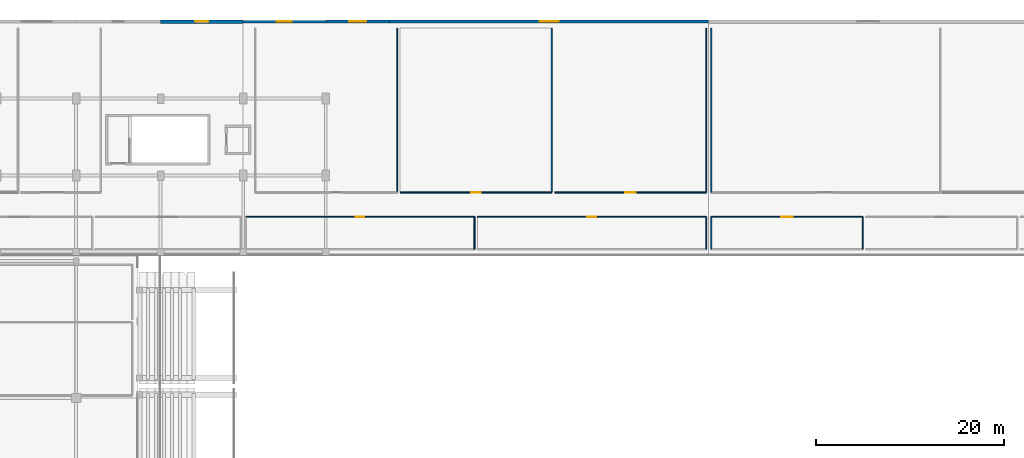
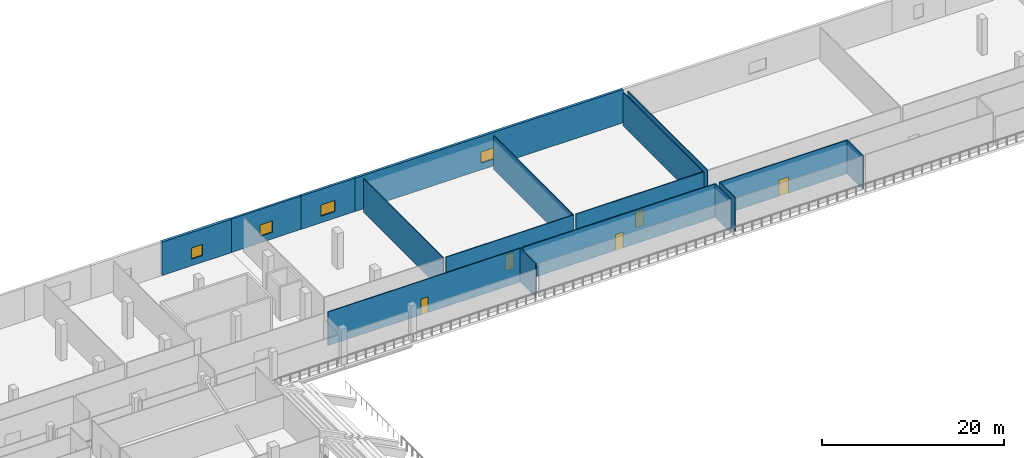
# One storey, part 42 of 74: 17 walls, 5 doors, 4 windows, 9 openings.
"""IFC4 building model written with IfcOpenShell, lengths in metres."""

from ifc_helpers import new_model, si_unit, direction, frame, frame_2d, origin, place, context, subcontext, project, spatial, rectangle, extrude, material, layer, layer_set, type_object, element, fill, save


model = new_model("IFC4")

# Units and contexts
model_context = context("Model", 3, precision=1e-05, world=origin(), true_north=direction((0.0, 1.0)))
body_context = subcontext(model_context, "Body", "Model", "MODEL_VIEW")
ifc_project = project(units=[si_unit("LENGTHUNIT", "METRE"), si_unit("AREAUNIT", "SQUARE_METRE"), si_unit("VOLUMEUNIT", "CUBIC_METRE"), si_unit("PLANEANGLEUNIT", "RADIAN"), si_unit("MASSUNIT", "GRAM", prefix="KILO")], contexts=[model_context])

# Site, building, storey
site_placement = place(None, origin())
site = spatial("IfcSite", under=ifc_project, at=site_placement, CompositionType="ELEMENT")
building_placement = place(site_placement, origin())
building = spatial("IfcBuilding", under=site, at=building_placement, Name="Koshinbarg Plaza Stadium", CompositionType="ELEMENT")
storey_placement = place(building_placement, frame((0.0, 0.0, 15.0)))
storey = spatial("IfcBuildingStorey", under=building, at=storey_placement, Name="L03", CompositionType="ELEMENT", Elevation=15.0)

# Wall, opening, window
ifc_material_1 = material(Name="Terracotta-ochre mineral plaster insulated wall", Category="masonry")
ifc_layer_1 = layer(ifc_material_1, 0.280029296875)
ifc_layer_set_1 = layer_set([ifc_layer_1], Name="Terracotta-ochre mineral plaster insulated wall")
wall_type_1 = type_object("IfcWallType", Name="WL-EXT-280", PredefinedType="SOLIDWALL", material=ifc_layer_set_1)
wall_1_placement = place(storey_placement, frame((72.39990234375, 152.0, 0.0), z_axis=(0.0, 0.0, 1.0), x_axis=(1.0, 0.0, 0.0)))
wall_1 = element("IfcWall", 1, at=wall_1_placement, inside=storey, type_object=wall_type_1, Name="L03 exterior envelope wall EWL-L03-0164", PredefinedType="SOLIDWALL", context=body_context, shape_type="SweptSolid", body=[
    extrude(rectangle(XDim=8.800048828125, YDim=0.280029296875, at=frame_2d((4.39990234375, 0.0))), origin(), (0.0, 0.0, 1.0), 4.47998046875),
])
opening_1_placement = place(wall_1_placement, frame((3.60009765625, 0.0, 0.89990234375)))
opening_1 = element("IfcOpeningElement", 2, at=opening_1_placement, cuts=wall_1, Name="Opening WN03", PredefinedType="OPENING", context=body_context, shape_type="SweptSolid", body=[
    extrude(rectangle(XDim=1.60009765625, YDim=1.5, at=frame_2d((0.800048828125, 0.75))), frame((0.0, 0.14990234375, 0.0), z_axis=(0.0, -1.0, 0.0), x_axis=(1.0, 0.0, 0.0)), (0.0, 0.0, 1.0), 0.300048828125),
])
ifc_material_2 = material(Name="Solar-control double glazing in thermally broken aluminium frame", Category="aluminium")
window_type_1 = type_object("IfcWindowType", Name="WN-FAC-03", PartitioningType="DOUBLE_PANEL_VERTICAL", PredefinedType="WINDOW", material=ifc_material_2)
window_1_placement = place(opening_1_placement, origin())
window_1 = element("IfcWindow", 3, at=window_1_placement, inside=storey, type_object=window_type_1, Name="L03 facade window 0097", OverallHeight=1.5, OverallWidth=1.60009765625, PartitioningType="SINGLE_PANEL", PredefinedType="WINDOW", context=body_context, shape_type="SweptSolid", body=[
    extrude(rectangle(XDim=1.60009765625, YDim=1.5, at=frame_2d((0.800048828125, 0.75))), frame((0.0, 0.030029296875, 0.0), z_axis=(0.0, -1.0, 0.0), x_axis=(1.0, 0.0, 0.0)), (0.0, 0.0, 1.0), 0.06005859375),
])
fill(opening_1, window_1)

ifc_material_3 = material(Name="Off-white mineral plaster insulated wall", Category="masonry")
ifc_layer_2 = layer(ifc_material_3, 0.300048828125)
ifc_layer_set_2 = layer_set([ifc_layer_2], Name="Off-white mineral plaster insulated wall")
wall_type_2 = type_object("IfcWallType", Name="WL-EXT-300", PredefinedType="SOLIDWALL", material=ifc_layer_set_2)
wall_2_placement = place(storey_placement, frame((81.199951171875, 152.0, 0.0), z_axis=(0.0, 0.0, 1.0), x_axis=(1.0, 0.0, 0.0)))
wall_2 = element("IfcWall", 4, at=wall_2_placement, inside=storey, type_object=wall_type_2, Name="L03 exterior envelope wall EWL-L03-0165", PredefinedType="SOLIDWALL", context=body_context, shape_type="SweptSolid", body=[
    extrude(rectangle(XDim=6.800048828125, YDim=0.300048828125, at=frame_2d((3.39990234375, 0.0))), origin(), (0.0, 0.0, 1.0), 4.47998046875),
])
opening_2_placement = place(wall_2_placement, frame((2.5, 0.0, 0.89990234375)))
opening_2 = element("IfcOpeningElement", 5, at=opening_2_placement, cuts=wall_2, Name="Opening WN04", PredefinedType="OPENING", context=body_context, shape_type="SweptSolid", body=[
    extrude(rectangle(XDim=1.800048828125, YDim=1.5, at=frame_2d((0.89990234375, 0.75))), frame((0.0, 0.159912109375, 0.0), z_axis=(0.0, -1.0, 0.0), x_axis=(1.0, 0.0, 0.0)), (0.0, 0.0, 1.0), 0.320068359375),
])
window_type_2 = type_object("IfcWindowType", Name="WN-FAC-04", PartitioningType="DOUBLE_PANEL_VERTICAL", PredefinedType="WINDOW", material=ifc_material_2)
window_2_placement = place(opening_2_placement, origin())
window_2 = element("IfcWindow", 6, at=window_2_placement, inside=storey, type_object=window_type_2, Name="L03 facade window 0098", OverallHeight=1.5, OverallWidth=1.800048828125, PartitioningType="SINGLE_PANEL", PredefinedType="WINDOW", context=body_context, shape_type="SweptSolid", body=[
    extrude(rectangle(XDim=1.800048828125, YDim=1.5, at=frame_2d((0.89990234375, 0.75))), frame((0.0, 0.030029296875, 0.0), z_axis=(0.0, -1.0, 0.0), x_axis=(1.0, 0.0, 0.0)), (0.0, 0.0, 1.0), 0.06005859375),
])
fill(opening_2, window_2)

ifc_material_4 = material(Name="Ultramarine-blue pigmented mineral plaster facade wall", Category="masonry")
ifc_layer_3 = layer(ifc_material_4, 0.320068359375)
ifc_layer_set_3 = layer_set([ifc_layer_3], Name="Ultramarine-blue pigmented mineral plaster facade wall")
wall_type_3 = type_object("IfcWallType", Name="WL-EXT-320", PredefinedType="SOLIDWALL", material=ifc_layer_set_3)
wall_3_placement = place(storey_placement, frame((88.0, 152.0, 0.0), z_axis=(0.0, 0.0, 1.0), x_axis=(1.0, 0.0, 0.0)))
wall_3 = element("IfcWall", 7, at=wall_3_placement, inside=storey, type_object=wall_type_3, Name="L03 exterior envelope wall EWL-L03-0166", PredefinedType="SOLIDWALL", context=body_context, shape_type="SweptSolid", body=[
    extrude(rectangle(XDim=34.0, YDim=0.320068359375, at=frame_2d((17.0, 0.0))), origin(), (0.0, 0.0, 1.0), 4.47998046875),
])
opening_3_placement = place(wall_3_placement, frame((16.0, 0.0, 0.89990234375)))
opening_3 = element("IfcOpeningElement", 8, at=opening_3_placement, cuts=wall_3, Name="Opening WN05", PredefinedType="OPENING", context=body_context, shape_type="SweptSolid", body=[
    extrude(rectangle(XDim=2.0, YDim=1.5, at=frame_2d((1.0, 0.75))), frame((0.0, 0.169921875, 0.0), z_axis=(0.0, -1.0, 0.0), x_axis=(1.0, 0.0, 0.0)), (0.0, 0.0, 1.0), 0.340087890625),
])
window_type_3 = type_object("IfcWindowType", Name="WN-FAC-05", PartitioningType="DOUBLE_PANEL_VERTICAL", PredefinedType="WINDOW", material=ifc_material_2)
window_3_placement = place(opening_3_placement, origin())
window_3 = element("IfcWindow", 9, at=window_3_placement, inside=storey, type_object=window_type_3, Name="L03 facade window 0099", OverallHeight=1.5, OverallWidth=2.0, PartitioningType="SINGLE_PANEL", PredefinedType="WINDOW", context=body_context, shape_type="SweptSolid", body=[
    extrude(rectangle(XDim=2.0, YDim=1.5, at=frame_2d((1.0, 0.75))), frame((0.0, 0.030029296875, 0.0), z_axis=(0.0, -1.0, 0.0), x_axis=(1.0, 0.0, 0.0)), (0.0, 0.0, 1.0), 0.06005859375),
])
fill(opening_3, window_3)

ifc_material_5 = material(Name="Acoustic insulated masonry stadium wall", Category="masonry")
ifc_layer_4 = layer(ifc_material_5, 0.35009765625)
ifc_layer_set_4 = layer_set([ifc_layer_4], Name="Acoustic insulated masonry stadium wall")
wall_type_4 = type_object("IfcWallType", Name="WL-EXT-350", PredefinedType="SOLIDWALL", material=ifc_layer_set_4)
wall_4_placement = place(storey_placement, frame((63.60009765625, 152.0, 0.0), z_axis=(0.0, 0.0, 1.0), x_axis=(1.0, 0.0, 0.0)))
wall_4 = element("IfcWall", 10, at=wall_4_placement, inside=storey, type_object=wall_type_4, Name="L03 exterior envelope wall EWL-L03-0163", PredefinedType="SOLIDWALL", context=body_context, shape_type="SweptSolid", body=[
    extrude(rectangle(XDim=8.7998046875, YDim=0.35009765625, at=frame_2d((4.39990234375, 0.0))), origin(), (0.0, 0.0, 1.0), 4.47998046875),
])
opening_4_placement = place(wall_4_placement, frame((3.699951171875, 0.0, 0.89990234375)))
opening_4 = element("IfcOpeningElement", 11, at=opening_4_placement, cuts=wall_4, Name="Opening WN02", PredefinedType="OPENING", context=body_context, shape_type="SweptSolid", body=[
    extrude(rectangle(XDim=1.39990234375, YDim=1.5, at=frame_2d((0.699951171875, 0.75))), frame((0.0, 0.18505859375, 0.0), z_axis=(0.0, -1.0, 0.0), x_axis=(1.0, 0.0, 0.0)), (0.0, 0.0, 1.0), 0.3701171875),
])
window_type_4 = type_object("IfcWindowType", Name="WN-FAC-02", PartitioningType="DOUBLE_PANEL_VERTICAL", PredefinedType="WINDOW", material=ifc_material_2)
window_4_placement = place(opening_4_placement, origin())
window_4 = element("IfcWindow", 12, at=window_4_placement, inside=storey, type_object=window_type_4, Name="L03 facade window 0096", OverallHeight=1.5, OverallWidth=1.39990234375, PartitioningType="SINGLE_PANEL", PredefinedType="WINDOW", context=body_context, shape_type="SweptSolid", body=[
    extrude(rectangle(XDim=1.39990234375, YDim=1.5, at=frame_2d((0.699951171875, 0.75))), frame((0.0, 0.030029296875, 0.0), z_axis=(0.0, -1.0, 0.0), x_axis=(1.0, 0.0, 0.0)), (0.0, 0.0, 1.0), 0.06005859375),
])
fill(opening_4, window_4)

# Wall
ifc_material_6 = material(Name="Gypsum board metal-stud acoustic partition")
ifc_layer_5 = layer(ifc_material_6, 0.1201171875)
ifc_layer_set_5 = layer_set([ifc_layer_5], Name="Gypsum board metal-stud acoustic partition")
wall_type_5 = type_object("IfcWallType", Name="WL-PART-120", PredefinedType="PARTITIONING", material=ifc_layer_set_5)
wall_5_placement = place(storey_placement, frame((97.050048828125, 127.7451171875, 0.0), z_axis=(0.0, 0.0, 1.0), x_axis=(0.0, 1.0, 0.0)))
element("IfcWall", 13, at=wall_5_placement, inside=storey, type_object=wall_type_5, Name="L03 interior partition L03-101-east IWL-L03-2014", PredefinedType="PARTITIONING", context=body_context, shape_type="SweptSolid", body=[
    extrude(rectangle(XDim=3.454833984375, YDim=0.1201171875, at=frame_2d((1.7275390625, 0.0))), origin(), (0.0, 0.0, 1.0), 4.5),
])

# Wall, opening, door
wall_6_placement = place(storey_placement, frame((97.050048828125, 131.199951171875, 0.0), z_axis=(0.0, 0.0, 1.0), x_axis=(-1.0, 0.0, 0.0)))
wall_6 = element("IfcWall", 14, at=wall_6_placement, inside=storey, type_object=wall_type_5, Name="L03 interior partition L03-101-north IWL-L03-2015", PredefinedType="PARTITIONING", context=body_context, shape_type="SweptSolid", body=[
    extrude(rectangle(XDim=24.380126953125, YDim=0.1201171875, at=frame_2d((12.18994140625, 0.0))), origin(), (0.0, 0.0, 1.0), 4.5),
])
opening_5_placement = place(wall_6_placement, frame((11.72998046875, 0.0, 0.0)))
opening_5 = element("IfcOpeningElement", 15, at=opening_5_placement, cuts=wall_6, Name="Opening D-0691", PredefinedType="OPENING", context=body_context, shape_type="SweptSolid", body=[
    extrude(rectangle(XDim=0.919921875, YDim=2.10009765625, at=frame_2d((0.4599609375, 1.050048828125))), frame((0.0, 0.070068359375, 0.0), z_axis=(0.0, -1.0, 0.0), x_axis=(1.0, 0.0, 0.0)), (0.0, 0.0, 1.0), 0.14013671875),
])
ifc_material_7 = material(Name="Solid-core oak veneer acoustic door")
door_type_1 = type_object("IfcDoorType", Name="DR-INT-0920x2100", OperationType="NOTDEFINED", PredefinedType="DOOR", material=ifc_material_7)
door_1_placement = place(opening_5_placement, origin())
door_1 = element("IfcDoor", 16, at=door_1_placement, inside=storey, type_object=door_type_1, Name="L03 North Upper Concourse door D-0691", OperationType="SINGLE_SWING_LEFT", OverallHeight=2.10009765625, OverallWidth=0.919921875, PredefinedType="DOOR", context=body_context, shape_type="SweptSolid", body=[
    extrude(rectangle(XDim=0.919921875, YDim=2.10009765625, at=frame_2d((0.4599609375, 1.050048828125))), frame((0.0, 0.02490234375, 0.0), z_axis=(0.0, -1.0, 0.0), x_axis=(1.0, 0.0, 0.0)), (0.0, 0.0, 1.0), 0.050048828125),
])
fill(opening_5, door_1)

# Wall
wall_7_placement = place(storey_placement, frame((121.72998046875, 127.7451171875, 0.0), z_axis=(0.0, 0.0, 1.0), x_axis=(0.0, 1.0, 0.0)))
element("IfcWall", 17, at=wall_7_placement, inside=storey, type_object=wall_type_5, Name="L03 interior partition L03-102-east IWL-L03-2018", PredefinedType="PARTITIONING", context=body_context, shape_type="SweptSolid", body=[
    extrude(rectangle(XDim=3.454833984375, YDim=0.1201171875, at=frame_2d((1.7275390625, 0.0))), origin(), (0.0, 0.0, 1.0), 4.5),
])

# Wall, opening, door
wall_8_placement = place(storey_placement, frame((121.72998046875, 131.199951171875, 0.0), z_axis=(0.0, 0.0, 1.0), x_axis=(-1.0, 0.0, 0.0)))
wall_8 = element("IfcWall", 18, at=wall_8_placement, inside=storey, type_object=wall_type_5, Name="L03 interior partition L03-102-north IWL-L03-2019", PredefinedType="PARTITIONING", context=body_context, shape_type="SweptSolid", body=[
    extrude(rectangle(XDim=24.3798828125, YDim=0.1201171875, at=frame_2d((12.18994140625, 0.0))), origin(), (0.0, 0.0, 1.0), 4.5),
])
opening_6_placement = place(wall_8_placement, frame((11.7099609375, 0.0, 0.0)))
opening_6 = element("IfcOpeningElement", 19, at=opening_6_placement, cuts=wall_8, Name="Opening D-0692", PredefinedType="OPENING", context=body_context, shape_type="SweptSolid", body=[
    extrude(rectangle(XDim=0.9599609375, YDim=2.10009765625, at=frame_2d((0.47998046875, 1.050048828125))), frame((0.0, 0.070068359375, 0.0), z_axis=(0.0, -1.0, 0.0), x_axis=(1.0, 0.0, 0.0)), (0.0, 0.0, 1.0), 0.14013671875),
])
door_type_2 = type_object("IfcDoorType", Name="DR-INT-0960x2100", OperationType="NOTDEFINED", PredefinedType="DOOR", material=ifc_material_7)
door_2_placement = place(opening_6_placement, origin())
door_2 = element("IfcDoor", 20, at=door_2_placement, inside=storey, type_object=door_type_2, Name="L03 Trophy Exhibition Hall door D-0692", OperationType="SINGLE_SWING_RIGHT", OverallHeight=2.10009765625, OverallWidth=0.9599609375, PredefinedType="DOOR", context=body_context, shape_type="SweptSolid", body=[
    extrude(rectangle(XDim=0.9599609375, YDim=2.10009765625, at=frame_2d((0.47998046875, 1.050048828125))), frame((0.0, 0.02490234375, 0.0), z_axis=(0.0, -1.0, 0.0), x_axis=(1.0, 0.0, 0.0)), (0.0, 0.0, 1.0), 0.050048828125),
])
fill(opening_6, door_2)

# Wall
wall_9_placement = place(storey_placement, frame((88.8232421875, 133.800048828125, 0.0), z_axis=(0.0, 0.0, 1.0), x_axis=(0.0, 1.0, 0.0)))
element("IfcWall", 21, at=wall_9_placement, inside=storey, type_object=wall_type_5, Name="L03 interior partition L03-103-east IWL-L03-2021", PredefinedType="PARTITIONING", context=body_context, shape_type="SweptSolid", body=[
    extrude(rectangle(XDim=17.5, YDim=0.1201171875, at=frame_2d((8.75, 0.0))), origin(), (0.0, 0.0, 1.0), 4.5),
])

# Wall, opening, door
wall_10_placement = place(storey_placement, frame((89.123291015625, 133.800048828125, 0.0), z_axis=(0.0, 0.0, 1.0), x_axis=(1.0, 0.0, 0.0)))
wall_10 = element("IfcWall", 22, at=wall_10_placement, inside=storey, type_object=wall_type_5, Name="L03 interior partition L03-104-south IWL-L03-2023", PredefinedType="PARTITIONING", context=body_context, shape_type="SweptSolid", body=[
    extrude(rectangle(XDim=16.1533203125, YDim=0.1201171875, at=frame_2d((8.07666015625, 0.0))), origin(), (0.0, 0.0, 1.0), 4.5),
])
opening_7_placement = place(wall_10_placement, frame((7.5517578125, 0.0, 0.0)))
opening_7 = element("IfcOpeningElement", 23, at=opening_7_placement, cuts=wall_10, Name="Opening D-0694", PredefinedType="OPENING", context=body_context, shape_type="SweptSolid", body=[
    extrude(rectangle(XDim=1.050048828125, YDim=2.14990234375, at=frame_2d((0.52490234375, 1.074951171875))), frame((0.0, 0.070068359375, 0.0), z_axis=(0.0, -1.0, 0.0), x_axis=(1.0, 0.0, 0.0)), (0.0, 0.0, 1.0), 0.14013671875),
])
ifc_material_8 = material(Name="Solid-core oak suite entrance door")
door_type_3 = type_object("IfcDoorType", Name="DR-INT-1050x2150", OperationType="NOTDEFINED", PredefinedType="DOOR", material=ifc_material_8)
door_3_placement = place(opening_7_placement, origin())
door_3 = element("IfcDoor", 24, at=door_3_placement, inside=storey, type_object=door_type_3, Name="L03 Olympic Archive Exhibition Room door D-0694", OperationType="SINGLE_SWING_RIGHT", OverallHeight=2.14990234375, OverallWidth=1.050048828125, PredefinedType="DOOR", context=body_context, shape_type="SweptSolid", body=[
    extrude(rectangle(XDim=1.050048828125, YDim=2.14990234375, at=frame_2d((0.52490234375, 1.074951171875))), frame((0.0, 0.02490234375, 0.0), z_axis=(0.0, -1.0, 0.0), x_axis=(1.0, 0.0, 0.0)), (0.0, 0.0, 1.0), 0.050048828125),
])
fill(opening_7, door_3)

# Wall
wall_11_placement = place(storey_placement, frame((105.276611328125, 133.800048828125, 0.0), z_axis=(0.0, 0.0, 1.0), x_axis=(0.0, 1.0, 0.0)))
element("IfcWall", 25, at=wall_11_placement, inside=storey, type_object=wall_type_5, Name="L03 interior partition L03-104-east IWL-L03-2024", PredefinedType="PARTITIONING", context=body_context, shape_type="SweptSolid", body=[
    extrude(rectangle(XDim=17.5, YDim=0.1201171875, at=frame_2d((8.75, 0.0))), origin(), (0.0, 0.0, 1.0), 4.5),
])

# Wall, opening, door
wall_12_placement = place(storey_placement, frame((105.57666015625, 133.800048828125, 0.0), z_axis=(0.0, 0.0, 1.0), x_axis=(1.0, 0.0, 0.0)))
wall_12 = element("IfcWall", 26, at=wall_12_placement, inside=storey, type_object=wall_type_5, Name="L03 interior partition L03-105-south IWL-L03-2025", PredefinedType="PARTITIONING", context=body_context, shape_type="SweptSolid", body=[
    extrude(rectangle(XDim=16.1533203125, YDim=0.1201171875, at=frame_2d((8.07666015625, 0.0))), origin(), (0.0, 0.0, 1.0), 4.5),
])
opening_8_placement = place(wall_12_placement, frame((7.5166015625, 0.0, 0.0)))
opening_8 = element("IfcOpeningElement", 27, at=opening_8_placement, cuts=wall_12, Name="Opening D-0695", PredefinedType="OPENING", context=body_context, shape_type="SweptSolid", body=[
    extrude(rectangle(XDim=1.1201171875, YDim=2.14990234375, at=frame_2d((0.56005859375, 1.074951171875))), frame((0.0, 0.070068359375, 0.0), z_axis=(0.0, -1.0, 0.0), x_axis=(1.0, 0.0, 0.0)), (0.0, 0.0, 1.0), 0.14013671875),
])
ifc_material_9 = material(Name="Acoustic timber broadcast studio door", Category="wood")
door_type_4 = type_object("IfcDoorType", Name="DR-INT-1120x2150", OperationType="NOTDEFINED", PredefinedType="DOOR", material=ifc_material_9)
door_4_placement = place(opening_8_placement, origin())
door_4 = element("IfcDoor", 28, at=door_4_placement, inside=storey, type_object=door_type_4, Name="L03 North Garden Pavilion Salon door D-0695", OperationType="SINGLE_SWING_LEFT", OverallHeight=2.14990234375, OverallWidth=1.1201171875, PredefinedType="DOOR", context=body_context, shape_type="SweptSolid", body=[
    extrude(rectangle(XDim=1.1201171875, YDim=2.14990234375, at=frame_2d((0.56005859375, 1.074951171875))), frame((0.0, 0.02490234375, 0.0), z_axis=(0.0, -1.0, 0.0), x_axis=(1.0, 0.0, 0.0)), (0.0, 0.0, 1.0), 0.050048828125),
])
fill(opening_8, door_4)

# Walls
wall_13_placement = place(storey_placement, frame((121.72998046875, 133.800048828125, 0.0), z_axis=(0.0, 0.0, 1.0), x_axis=(0.0, 1.0, 0.0)))
element("IfcWall", 29, at=wall_13_placement, inside=storey, type_object=wall_type_5, Name="L03 interior partition L03-105-east IWL-L03-2026", PredefinedType="PARTITIONING", context=body_context, shape_type="SweptSolid", body=[
    extrude(rectangle(XDim=17.5, YDim=0.1201171875, at=frame_2d((8.75, 0.0))), origin(), (0.0, 0.0, 1.0), 4.5),
])
wall_14_placement = place(storey_placement, frame((138.42333984375, 127.7451171875, 0.0), z_axis=(0.0, 0.0, 1.0), x_axis=(0.0, 1.0, 0.0)))
element("IfcWall", 30, at=wall_14_placement, inside=storey, type_object=wall_type_5, Name="L03 interior partition L03-106-east IWL-L03-2028", PredefinedType="PARTITIONING", context=body_context, shape_type="SweptSolid", body=[
    extrude(rectangle(XDim=3.454833984375, YDim=0.1201171875, at=frame_2d((1.7275390625, 0.0))), origin(), (0.0, 0.0, 1.0), 4.5),
])

# Wall, opening, door
wall_15_placement = place(storey_placement, frame((138.42333984375, 131.199951171875, 0.0), z_axis=(0.0, 0.0, 1.0), x_axis=(-1.0, 0.0, 0.0)))
wall_15 = element("IfcWall", 31, at=wall_15_placement, inside=storey, type_object=wall_type_5, Name="L03 interior partition L03-106-north IWL-L03-2029", PredefinedType="PARTITIONING", context=body_context, shape_type="SweptSolid", body=[
    extrude(rectangle(XDim=16.1533203125, YDim=0.1201171875, at=frame_2d((8.07666015625, 0.0))), origin(), (0.0, 0.0, 1.0), 4.5),
])
opening_9_placement = place(wall_15_placement, frame((7.476806640625, 0.0, 0.0)))
opening_9 = element("IfcOpeningElement", 32, at=opening_9_placement, cuts=wall_15, Name="Opening D-0696", PredefinedType="OPENING", context=body_context, shape_type="SweptSolid", body=[
    extrude(rectangle(XDim=1.199951171875, YDim=2.14990234375, at=frame_2d((0.60009765625, 1.074951171875))), frame((0.0, 0.070068359375, 0.0), z_axis=(0.0, -1.0, 0.0), x_axis=(1.0, 0.0, 0.0)), (0.0, 0.0, 1.0), 0.14013671875),
])
ifc_material_10 = material(Name="Solid-core hardwood leaf in painted steel frame", Category="steel")
door_type_5 = type_object("IfcDoorType", Name="DR-INT-1200x2150", OperationType="NOTDEFINED", PredefinedType="DOOR", material=ifc_material_10)
door_5_placement = place(opening_9_placement, origin())
door_5 = element("IfcDoor", 33, at=door_5_placement, inside=storey, type_object=door_type_5, Name="L03 Trophy Exhibition Hall door D-0696", OperationType="SINGLE_SWING_RIGHT", OverallHeight=2.14990234375, OverallWidth=1.199951171875, PredefinedType="DOOR", context=body_context, shape_type="SweptSolid", body=[
    extrude(rectangle(XDim=1.199951171875, YDim=2.14990234375, at=frame_2d((0.60009765625, 1.074951171875))), frame((0.0, 0.02490234375, 0.0), z_axis=(0.0, -1.0, 0.0), x_axis=(1.0, 0.0, 0.0)), (0.0, 0.0, 1.0), 0.050048828125),
])
fill(opening_9, door_5)

# Walls
wall_16_placement = place(storey_placement, frame((122.27001953125, 131.199951171875, 0.0), z_axis=(0.0, 0.0, 1.0), x_axis=(0.0, -1.0, 0.0)))
element("IfcWall", 34, at=wall_16_placement, inside=storey, type_object=wall_type_5, Name="L03 interior partition L03-106-west IWL-L03-2030", PredefinedType="PARTITIONING", context=body_context, shape_type="SweptSolid", body=[
    extrude(rectangle(XDim=3.454833984375, YDim=0.1201171875, at=frame_2d((1.7275390625, 0.0))), origin(), (0.0, 0.0, 1.0), 4.5),
])
wall_17_placement = place(storey_placement, frame((122.27001953125, 151.300048828125, 0.0), z_axis=(0.0, 0.0, 1.0), x_axis=(0.0, -1.0, 0.0)))
element("IfcWall", 35, at=wall_17_placement, inside=storey, type_object=wall_type_5, Name="L03 interior partition L03-109-west IWL-L03-2039", PredefinedType="PARTITIONING", context=body_context, shape_type="SweptSolid", body=[
    extrude(rectangle(XDim=17.5, YDim=0.1201171875, at=frame_2d((8.75, 0.0))), origin(), (0.0, 0.0, 1.0), 4.5),
])

save(model, "model.ifc")
